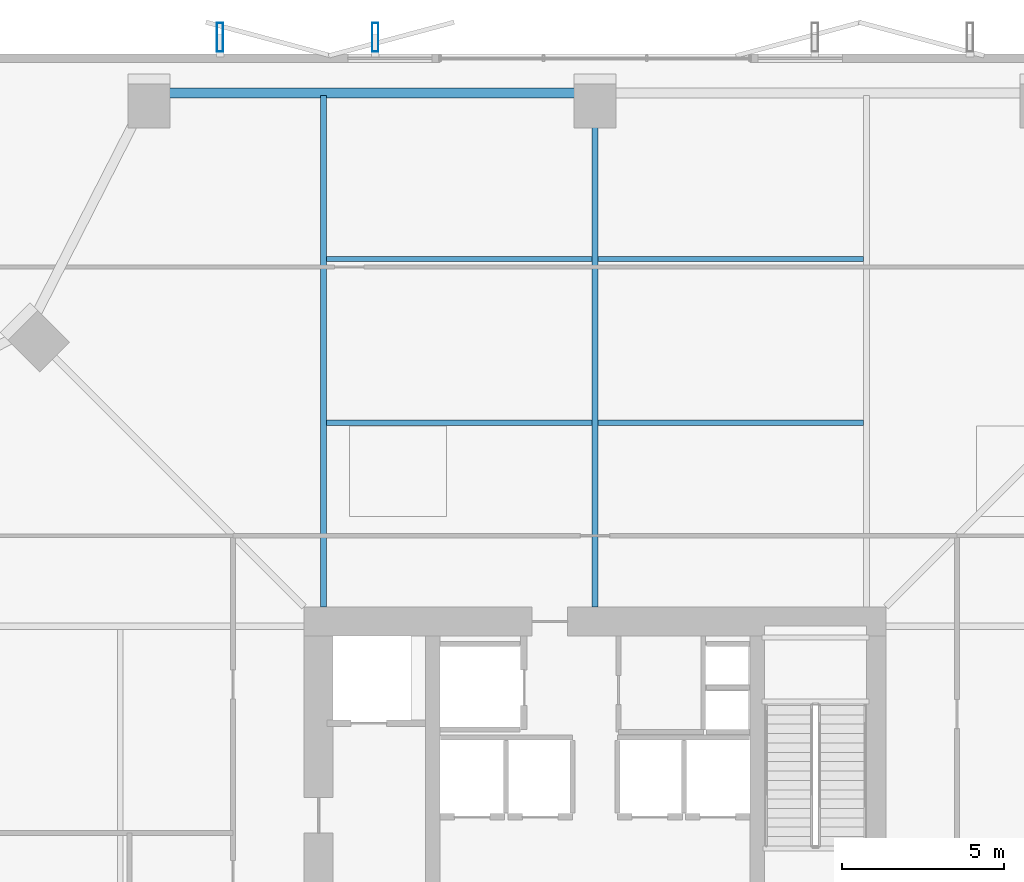
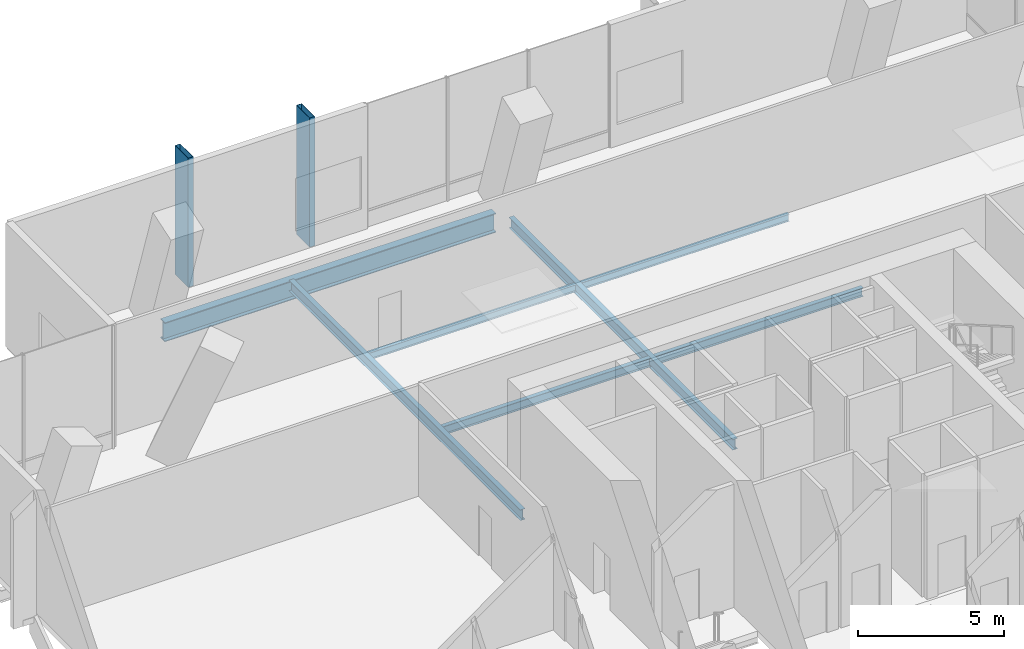
# One storey, part 17 of 28: 7 beams, 2 members.
"""IFC4 building model written with IfcOpenShell, lengths in metres."""

from ifc_helpers import new_model, si_unit, direction, frame, origin, origin_2d, place, context, subcontext, project, spatial, hollow_rectangle, i_section, extrude, material, material_profile, profile_set, type_object, element, save


model = new_model("IFC4")

# Units and contexts
model_context = context("Model", 3, precision=1e-05, world=origin(), true_north=direction((0.0, 1.0)))
body_context = subcontext(model_context, "Body", "Model", "MODEL_VIEW")
ifc_project = project(units=[si_unit("LENGTHUNIT", "METRE"), si_unit("AREAUNIT", "SQUARE_METRE"), si_unit("VOLUMEUNIT", "CUBIC_METRE"), si_unit("PLANEANGLEUNIT", "RADIAN"), si_unit("MASSUNIT", "GRAM", prefix="KILO")], contexts=[model_context])

# Site, building, storey
site_placement = place(None, origin())
site = spatial("IfcSite", under=ifc_project, at=site_placement, CompositionType="ELEMENT")
building_placement = place(site_placement, origin())
building = spatial("IfcBuilding", under=site, at=building_placement, Name="Belovzor Exchange Tower", CompositionType="ELEMENT")
storey_placement = place(building_placement, frame((0.0, 0.0, 132.89990234375)))
storey = spatial("IfcBuildingStorey", under=building, at=storey_placement, Name="L32", CompositionType="ELEMENT", Elevation=132.89990234375)

# Beams
ifc_material_1 = material(Name="Steel S355", Category="steel")
ifc_material_profile_1 = material_profile(ifc_material_1, i_section(OverallWidth=0.169921875, OverallDepth=0.360107421875, WebThickness=0.008056640625, FlangeThickness=0.0126953125, at=origin_2d()))
ifc_profile_set_1 = profile_set([ifc_material_profile_1], Name="Steel S355")
beam_type_1 = type_object("IfcBeamType", Name="Secondary Infill Floor Joist IPE 360", PredefinedType="BEAM", material=ifc_profile_set_1)
for number, where, z_axis, x_axis, name in (
    (1, (20.4951171875, 43.4970703125, -0.429931640625), (1.0, 0.0, 0.0), (0.0, 1.0, 0.0), "FJ-360 Secondary Infill Floor Joist IPE 360"),
    (2, (28.89501953125, 43.4970703125, -0.429931640625), (1.0, 0.0, 0.0), (0.0, 1.0, 0.0), "FJ-360 Secondary Infill Floor Joist IPE 360"),
):
    element("IfcBeam", number, at=place(storey_placement, frame(where, z_axis=z_axis, x_axis=x_axis)), inside=storey, type_object=beam_type_1, Name=name, PredefinedType="BEAM", context=body_context, shape_type="SweptSolid", body=[
        extrude(i_section(OverallWidth=0.169921875, OverallDepth=0.360107421875, WebThickness=0.008056640625, FlangeThickness=0.0126953125, at=origin_2d()), origin(), (0.0, 0.0, 1.0), 8.2099609375),
    ])
ifc_material_2 = material(Name="Steel S355", Category="steel")
ifc_material_profile_2 = material_profile(ifc_material_2, i_section(OverallWidth=0.14990234375, OverallDepth=0.300048828125, WebThickness=0.007080078125, FlangeThickness=0.0107421875, at=origin_2d()))
ifc_profile_set_2 = profile_set([ifc_material_profile_2], Name="Steel S355")
beam_type_2 = type_object("IfcBeamType", Name="Secondary Trim Floor Joist IPE 300", PredefinedType="BEAM", material=ifc_profile_set_2)
for number, where, z_axis, x_axis, name in (
    (3, (20.4951171875, 48.56103515625, -0.39990234375), (1.0, 0.0, 0.0), (0.0, 1.0, 0.0), "FJ-300 Secondary Trim Floor Joist IPE 300"),
    (4, (28.89501953125, 48.56103515625, -0.39990234375), (1.0, 0.0, 0.0), (0.0, 1.0, 0.0), "FJ-300 Secondary Trim Floor Joist IPE 300"),
):
    element("IfcBeam", number, at=place(storey_placement, frame(where, z_axis=z_axis, x_axis=x_axis)), inside=storey, type_object=beam_type_2, Name=name, PredefinedType="BEAM", context=body_context, shape_type="SweptSolid", body=[
        extrude(i_section(OverallWidth=0.14990234375, OverallDepth=0.300048828125, WebThickness=0.007080078125, FlangeThickness=0.0107421875, at=origin_2d()), origin(), (0.0, 0.0, 1.0), 8.2099609375),
    ])
ifc_material_3 = material(Name="Steel S355", Category="steel")
ifc_material_profile_3 = material_profile(ifc_material_3, i_section(OverallWidth=0.300048828125, OverallDepth=0.800048828125, WebThickness=0.017578125, FlangeThickness=0.032958984375, at=origin_2d()))
ifc_profile_set_3 = profile_set([ifc_material_profile_3], Name="Steel S355")
beam_type_3 = type_object("IfcBeamType", Name="Sky-Lobby Primary Girder HEB 800", PredefinedType="BEAM", material=ifc_profile_set_3)
beam_1_placement = place(storey_placement, frame((28.44189453125, 53.699951171875, -0.64990234375), z_axis=(-1.0, 0.0, 0.0), x_axis=(0.0, -1.0, 0.0)))
element("IfcBeam", 5, at=beam_1_placement, inside=storey, type_object=beam_type_3, Name="SG-1 Sky-Lobby Primary Girder HEB 800", PredefinedType="BEAM", context=body_context, shape_type="SweptSolid", body=[
    extrude(i_section(OverallWidth=0.300048828125, OverallDepth=0.800048828125, WebThickness=0.017578125, FlangeThickness=0.032958984375, at=origin_2d()), origin(), (0.0, 0.0, 1.0), 13.0849609375),
])

# Members
ifc_material_4 = material(Name="Extruded Architectural Terracotta on Steel S355 Carrier", Category="masonry")
ifc_material_profile_4 = material_profile(ifc_material_4, hollow_rectangle(XDim=0.199951171875, YDim=0.89990234375, WallThickness=0.011962890625, at=origin_2d()))
ifc_profile_set_4 = profile_set([ifc_material_profile_4], Name="Extruded Architectural Terracotta on Steel S355 Carrier")
member_type = type_object("IfcMemberType", Name="Sweeping Terracotta Baguette Fin Assembly 1250", PredefinedType="USERDEFINED", material=ifc_profile_set_4)
for number, where, z_axis, x_axis, name in (
    (6, (17.199951171875, 55.425048828125, -0.25), (0.0, 0.0, 1.0), (1.0, 0.0, 0.0), "FIN-TC125 Terracotta Facade Fin L32 N1"),
    (7, (22.0, 55.425048828125, -0.25), (0.0, 0.0, 1.0), (1.0, 0.0, 0.0), "FIN-TC125 Terracotta Facade Fin L32 N2"),
):
    element("IfcMember", number, at=place(storey_placement, frame(where, z_axis=z_axis, x_axis=x_axis)), inside=storey, type_object=member_type, Name=name, ObjectType="FIN", PredefinedType="USERDEFINED", context=body_context, shape_type="SweptSolid", body=[
        extrude(hollow_rectangle(XDim=0.199951171875, YDim=0.89990234375, WallThickness=0.011962890625, at=origin_2d()), origin(), (0.0, 0.0, 1.0), 5.39501953125),
    ])

# Beams
ifc_material_5 = material(Name="Steel S355", Category="steel")
ifc_material_profile_5 = material_profile(ifc_material_5, i_section(OverallWidth=0.18994140625, OverallDepth=0.449951171875, WebThickness=0.009521484375, FlangeThickness=0.0146484375, at=origin_2d()))
ifc_profile_set_5 = profile_set([ifc_material_profile_5], Name="Steel S355")
beam_type_4 = type_object("IfcBeamType", Name="Zone 2-4 Radial Composite Floor Beam IPE 450", PredefinedType="BEAM", material=ifc_profile_set_5)
beam_2_placement = place(storey_placement, frame((20.39990234375, 37.800048828125, -0.474853515625), z_axis=(0.0, 1.0, 0.0), x_axis=(-1.0, 0.0, 0.0)))
element("IfcBeam", 8, at=beam_2_placement, inside=storey, type_object=beam_type_4, Name="FB-450 Zone 2-4 Radial Composite Floor Beam IPE 450", PredefinedType="BEAM", context=body_context, shape_type="SweptSolid", body=[
    extrude(i_section(OverallWidth=0.18994140625, OverallDepth=0.449951171875, WebThickness=0.009521484375, FlangeThickness=0.0146484375, at=origin_2d()), origin(), (0.0, 0.0, 1.0), 15.824951171875),
])
beam_3_placement = place(storey_placement, frame((28.800048828125, 37.800048828125, -0.474853515625), z_axis=(0.0, 1.0, 0.0), x_axis=(-1.0, 0.0, 0.0)))
element("IfcBeam", 9, at=beam_3_placement, inside=storey, type_object=beam_type_4, Name="FB-450 Zone 2-4 Radial Composite Floor Beam IPE 450", PredefinedType="BEAM", context=body_context, shape_type="SweptSolid", body=[
    extrude(i_section(OverallWidth=0.18994140625, OverallDepth=0.449951171875, WebThickness=0.009521484375, FlangeThickness=0.0146484375, at=origin_2d()), origin(), (0.0, 0.0, 1.0), 15.327880859375),
])

save(model, "model.ifc")
